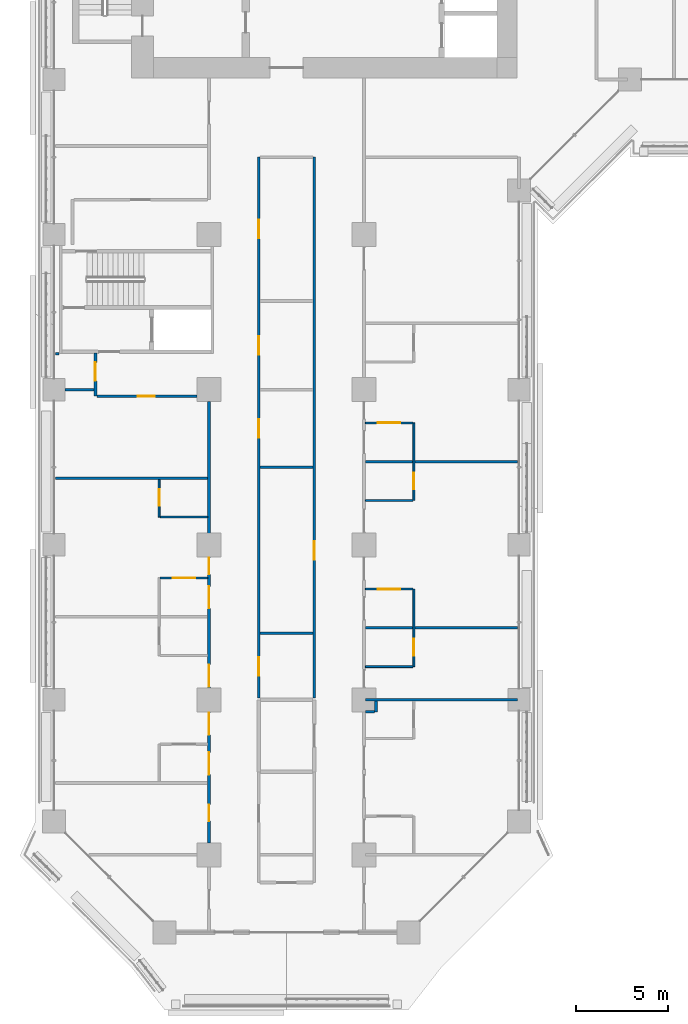
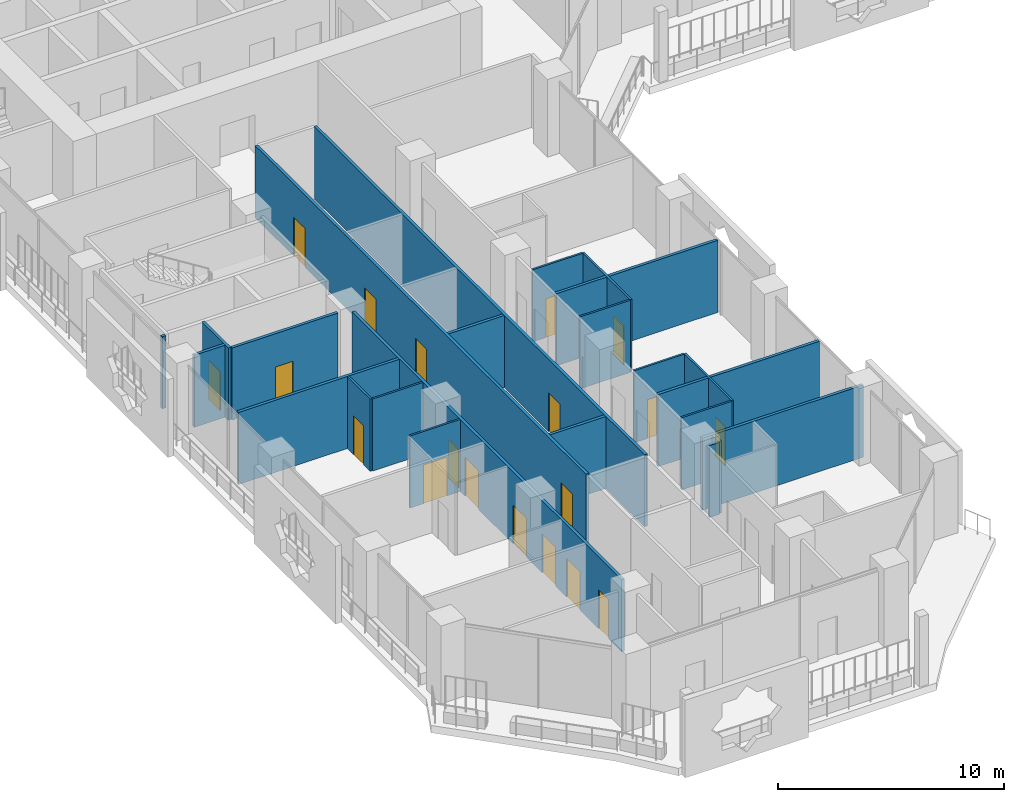
# One storey, part 14 of 29: 24 walls, 19 doors, 19 openings.
"""IFC4 building model written with IfcOpenShell, lengths in metres."""

from ifc_helpers import new_model, si_unit, direction, frame, frame_2d, origin, place, context, subcontext, project, spatial, rectangle, extrude, material, layer, layer_set, type_object, element, fill, save


model = new_model("IFC4")

# Units and contexts
model_context = context("Model", 3, precision=1e-05, world=origin(), true_north=direction((0.0, 1.0)))
body_context = subcontext(model_context, "Body", "Model", "MODEL_VIEW")
ifc_project = project(units=[si_unit("LENGTHUNIT", "METRE"), si_unit("AREAUNIT", "SQUARE_METRE"), si_unit("VOLUMEUNIT", "CUBIC_METRE"), si_unit("PLANEANGLEUNIT", "RADIAN"), si_unit("MASSUNIT", "GRAM", prefix="KILO")], contexts=[model_context])

# Site, building, storey
site_placement = place(None, origin())
site = spatial("IfcSite", under=ifc_project, at=site_placement, CompositionType="ELEMENT")
building_placement = place(site_placement, origin())
building = spatial("IfcBuilding", under=site, at=building_placement, Name="Kawkab Arch Medical Tower", CompositionType="ELEMENT")
storey_placement = place(building_placement, frame((0.0, 0.0, 60.199951171875)))
storey = spatial("IfcBuildingStorey", under=building, at=storey_placement, Name="L13", CompositionType="ELEMENT", Elevation=60.199951171875)

# Wall
ifc_material_1 = material(Name="Gypsum board partition on steel studs", Category="steel")
ifc_layer_1 = layer(ifc_material_1, 0.10009765625)
ifc_layer_set_1 = layer_set([ifc_layer_1], Name="Gypsum board partition on steel studs")
wall_type_1 = type_object("IfcWallType", Name="Partition 100", PredefinedType="PARTITIONING", material=ifc_layer_set_1)
wall_1_placement = place(storey_placement, frame((16.875, -57.0, 0.0), z_axis=(0.0, 0.0, 1.0), x_axis=(1.0, 0.0, 0.0)))
element("IfcWall", 1, at=wall_1_placement, inside=storey, type_object=wall_type_1, Name="Partition 100 w004", PredefinedType="PARTITIONING", context=body_context, shape_type="SweptSolid", body=[
    extrude(rectangle(XDim=2.574951171875, YDim=0.10009765625, at=frame_2d((1.28759765625, 0.0))), origin(), (0.0, 0.0, 1.0), 3.900146484375),
])

# Wall, opening, door
wall_2_placement = place(storey_placement, frame((16.875, -52.800048828125, 0.0), z_axis=(0.0, 0.0, 1.0), x_axis=(1.0, 0.0, 0.0)))
wall_2 = element("IfcWall", 2, at=wall_2_placement, inside=storey, type_object=wall_type_1, Name="Partition 100 w006", PredefinedType="PARTITIONING", context=body_context, shape_type="SweptSolid", body=[
    extrude(rectangle(XDim=2.574951171875, YDim=0.10009765625, at=frame_2d((1.28759765625, 0.0))), origin(), (0.0, 0.0, 1.0), 3.900146484375),
])
opening_1_placement = place(wall_2_placement, frame((0.675048828125, 0.0, 0.0)))
opening_1 = element("IfcOpeningElement", 3, at=opening_1_placement, cuts=wall_2, Name="Opening W13A-081", PredefinedType="OPENING", context=body_context, shape_type="SweptSolid", body=[
    extrude(rectangle(XDim=1.199951171875, YDim=2.10009765625, at=frame_2d((0.60009765625, 1.050048828125))), frame((0.0, 0.06005859375, 0.0), z_axis=(0.0, -1.0, 0.0), x_axis=(1.0, 0.0, 0.0)), (0.0, 0.0, 1.0), 0.1201171875),
])
ifc_material_2 = material(Name="Timber door leaf", Category="wood")
door_type_1 = type_object("IfcDoorType", Name="Single door 1200x2100", OperationType="NOTDEFINED", PredefinedType="DOOR", material=ifc_material_2)
door_1_placement = place(opening_1_placement, origin())
door_1 = element("IfcDoor", 4, at=door_1_placement, inside=storey, type_object=door_type_1, Name="Door W13A-081", OperationType="SINGLE_SWING_RIGHT", OverallHeight=2.10009765625, OverallWidth=1.199951171875, PredefinedType="DOOR", context=body_context, shape_type="SweptSolid", body=[
    extrude(rectangle(XDim=1.199951171875, YDim=2.10009765625, at=frame_2d((0.60009765625, 1.050048828125))), frame((0.0, 0.02490234375, 0.0), z_axis=(0.0, -1.0, 0.0), x_axis=(1.0, 0.0, 0.0)), (0.0, 0.0, 1.0), 0.050048828125),
])
fill(opening_1, door_1)

wall_3_placement = place(storey_placement, frame((5.75, -52.199951171875, 0.0), z_axis=(0.0, 0.0, 1.0), x_axis=(1.0, 0.0, 0.0)))
wall_3 = element("IfcWall", 5, at=wall_3_placement, inside=storey, type_object=wall_type_1, Name="Partition 100 w007", PredefinedType="PARTITIONING", context=body_context, shape_type="SweptSolid", body=[
    extrude(rectangle(XDim=2.574951171875, YDim=0.10009765625, at=frame_2d((1.28759765625, 0.0))), origin(), (0.0, 0.0, 1.0), 3.900146484375),
])
opening_2_placement = place(wall_3_placement, frame((0.699951171875, 0.0, 0.0)))
opening_2 = element("IfcOpeningElement", 6, at=opening_2_placement, cuts=wall_3, Name="Opening W13A-070", PredefinedType="OPENING", context=body_context, shape_type="SweptSolid", body=[
    extrude(rectangle(XDim=1.199951171875, YDim=2.10009765625, at=frame_2d((0.60009765625, 1.050048828125))), frame((0.0, 0.06005859375, 0.0), z_axis=(0.0, -1.0, 0.0), x_axis=(1.0, 0.0, 0.0)), (0.0, 0.0, 1.0), 0.1201171875),
])
door_2_placement = place(opening_2_placement, origin())
door_2 = element("IfcDoor", 7, at=door_2_placement, inside=storey, type_object=door_type_1, Name="Door W13A-070", OperationType="SINGLE_SWING_LEFT", OverallHeight=2.10009765625, OverallWidth=1.199951171875, PredefinedType="DOOR", context=body_context, shape_type="SweptSolid", body=[
    extrude(rectangle(XDim=1.199951171875, YDim=2.10009765625, at=frame_2d((0.60009765625, 1.050048828125))), frame((0.0, 0.02490234375, 0.0), z_axis=(0.0, -1.0, 0.0), x_axis=(1.0, 0.0, 0.0)), (0.0, 0.0, 1.0), 0.050048828125),
])
fill(opening_2, door_2)

# Walls
for number, where, z_axis, x_axis, name in (
    (8, (5.75, -48.89990234375, 0.0), (0.0, 0.0, 1.0), (1.0, 0.0, 0.0), "Partition 100 w008"),
    (9, (16.875, -48.0, 0.0), (0.0, 0.0, 1.0), (1.0, 0.0, 0.0), "Partition 100 w009"),
):
    element("IfcWall", number, at=place(storey_placement, frame(where, z_axis=z_axis, x_axis=x_axis)), inside=storey, type_object=wall_type_1, Name=name, PredefinedType="PARTITIONING", context=body_context, shape_type="SweptSolid", body=[
        extrude(rectangle(XDim=2.574951171875, YDim=0.10009765625, at=frame_2d((1.28759765625, 0.0))), origin(), (0.0, 0.0, 1.0), 3.900146484375),
    ])

# Wall, opening, door
wall_4_placement = place(storey_placement, frame((16.875, -43.800048828125, 0.0), z_axis=(0.0, 0.0, 1.0), x_axis=(1.0, 0.0, 0.0)))
wall_4 = element("IfcWall", 10, at=wall_4_placement, inside=storey, type_object=wall_type_1, Name="Partition 100 w010", PredefinedType="PARTITIONING", context=body_context, shape_type="SweptSolid", body=[
    extrude(rectangle(XDim=2.574951171875, YDim=0.10009765625, at=frame_2d((1.28759765625, 0.0))), origin(), (0.0, 0.0, 1.0), 3.900146484375),
])
opening_3_placement = place(wall_4_placement, frame((0.675048828125, 0.0, 0.0)))
opening_3 = element("IfcOpeningElement", 11, at=opening_3_placement, cuts=wall_4, Name="Opening W13A-077", PredefinedType="OPENING", context=body_context, shape_type="SweptSolid", body=[
    extrude(rectangle(XDim=1.199951171875, YDim=2.10009765625, at=frame_2d((0.60009765625, 1.050048828125))), frame((0.0, 0.06005859375, 0.0), z_axis=(0.0, -1.0, 0.0), x_axis=(1.0, 0.0, 0.0)), (0.0, 0.0, 1.0), 0.1201171875),
])
door_3_placement = place(opening_3_placement, origin())
door_3 = element("IfcDoor", 12, at=door_3_placement, inside=storey, type_object=door_type_1, Name="Door W13A-077", OperationType="SINGLE_SWING_LEFT", OverallHeight=2.10009765625, OverallWidth=1.199951171875, PredefinedType="DOOR", context=body_context, shape_type="SweptSolid", body=[
    extrude(rectangle(XDim=1.199951171875, YDim=2.10009765625, at=frame_2d((0.60009765625, 1.050048828125))), frame((0.0, 0.02490234375, 0.0), z_axis=(0.0, -1.0, 0.0), x_axis=(1.0, 0.0, 0.0)), (0.0, 0.0, 1.0), 0.050048828125),
])
fill(opening_3, door_3)

wall_5_placement = place(storey_placement, frame((5.699951171875, -48.89990234375, 0.0), z_axis=(0.0, 0.0, 1.0), x_axis=(0.0, 1.0, 0.0)))
wall_5 = element("IfcWall", 13, at=wall_5_placement, inside=storey, type_object=wall_type_1, Name="Partition 100 w023", PredefinedType="PARTITIONING", context=body_context, shape_type="SweptSolid", body=[
    extrude(rectangle(XDim=2.02490234375, YDim=0.10009765625, at=frame_2d((1.012451171875, 0.0))), origin(), (0.0, 0.0, 1.0), 3.900146484375),
])
opening_4_placement = place(wall_5_placement, frame((0.60009765625, 0.0, 0.0)))
opening_4 = element("IfcOpeningElement", 14, at=opening_4_placement, cuts=wall_5, Name="Opening W13A-010", PredefinedType="OPENING", context=body_context, shape_type="SweptSolid", body=[
    extrude(rectangle(XDim=0.89990234375, YDim=2.10009765625, at=frame_2d((0.449951171875, 1.050048828125))), frame((0.0, 0.06005859375, 0.0), z_axis=(0.0, -1.0, 0.0), x_axis=(1.0, 0.0, 0.0)), (0.0, 0.0, 1.0), 0.1201171875),
])
ifc_material_3 = material(Name="Timber door leaf", Category="wood")
door_type_2 = type_object("IfcDoorType", Name="Single door 900x2100", OperationType="NOTDEFINED", PredefinedType="DOOR", material=ifc_material_3)
door_4_placement = place(opening_4_placement, origin())
door_4 = element("IfcDoor", 15, at=door_4_placement, inside=storey, type_object=door_type_2, Name="Door W13A-010", OperationType="SINGLE_SWING_RIGHT", OverallHeight=2.10009765625, OverallWidth=0.89990234375, PredefinedType="DOOR", context=body_context, shape_type="SweptSolid", body=[
    extrude(rectangle(XDim=0.89990234375, YDim=2.10009765625, at=frame_2d((0.449951171875, 1.050048828125))), frame((0.0, 0.02490234375, 0.0), z_axis=(0.0, -1.0, 0.0), x_axis=(1.0, 0.0, 0.0)), (0.0, 0.0, 1.0), 0.050048828125),
])
fill(opening_4, door_4)

wall_6_placement = place(storey_placement, frame((19.5, -57.0, 0.0), z_axis=(0.0, 0.0, 1.0), x_axis=(0.0, 1.0, 0.0)))
wall_6 = element("IfcWall", 16, at=wall_6_placement, inside=storey, type_object=wall_type_1, Name="Partition 100 w026", PredefinedType="PARTITIONING", context=body_context, shape_type="SweptSolid", body=[
    extrude(rectangle(XDim=4.199951171875, YDim=0.10009765625, at=frame_2d((2.10009765625, 0.0))), origin(), (0.0, 0.0, 1.0), 3.900146484375),
])
opening_5_placement = place(wall_6_placement, frame((0.60009765625, 0.0, 0.0)))
opening_5 = element("IfcOpeningElement", 17, at=opening_5_placement, cuts=wall_6, Name="Opening W13A-016", PredefinedType="OPENING", context=body_context, shape_type="SweptSolid", body=[
    extrude(rectangle(XDim=0.89990234375, YDim=2.10009765625, at=frame_2d((0.449951171875, 1.050048828125))), frame((0.0, 0.06005859375, 0.0), z_axis=(0.0, -1.0, 0.0), x_axis=(1.0, 0.0, 0.0)), (0.0, 0.0, 1.0), 0.1201171875),
])
door_5_placement = place(opening_5_placement, origin())
door_5 = element("IfcDoor", 18, at=door_5_placement, inside=storey, type_object=door_type_2, Name="Door W13A-016", OperationType="SINGLE_SWING_RIGHT", OverallHeight=2.10009765625, OverallWidth=0.89990234375, PredefinedType="DOOR", context=body_context, shape_type="SweptSolid", body=[
    extrude(rectangle(XDim=0.89990234375, YDim=2.10009765625, at=frame_2d((0.449951171875, 1.050048828125))), frame((0.0, 0.02490234375, 0.0), z_axis=(0.0, -1.0, 0.0), x_axis=(1.0, 0.0, 0.0)), (0.0, 0.0, 1.0), 0.050048828125),
])
fill(opening_5, door_5)

wall_7_placement = place(storey_placement, frame((19.5, -48.0, 0.0), z_axis=(0.0, 0.0, 1.0), x_axis=(0.0, 1.0, 0.0)))
wall_7 = element("IfcWall", 19, at=wall_7_placement, inside=storey, type_object=wall_type_1, Name="Partition 100 w027", PredefinedType="PARTITIONING", context=body_context, shape_type="SweptSolid", body=[
    extrude(rectangle(XDim=4.199951171875, YDim=0.10009765625, at=frame_2d((2.10009765625, 0.0))), origin(), (0.0, 0.0, 1.0), 3.900146484375),
])
opening_6_placement = place(wall_7_placement, frame((0.60009765625, 0.0, 0.0)))
opening_6 = element("IfcOpeningElement", 20, at=opening_6_placement, cuts=wall_7, Name="Opening W13A-015", PredefinedType="OPENING", context=body_context, shape_type="SweptSolid", body=[
    extrude(rectangle(XDim=0.89990234375, YDim=2.10009765625, at=frame_2d((0.449951171875, 1.050048828125))), frame((0.0, 0.06005859375, 0.0), z_axis=(0.0, -1.0, 0.0), x_axis=(1.0, 0.0, 0.0)), (0.0, 0.0, 1.0), 0.1201171875),
])
door_6_placement = place(opening_6_placement, origin())
door_6 = element("IfcDoor", 21, at=door_6_placement, inside=storey, type_object=door_type_2, Name="Door W13A-015", OperationType="SINGLE_SWING_RIGHT", OverallHeight=2.10009765625, OverallWidth=0.89990234375, PredefinedType="DOOR", context=body_context, shape_type="SweptSolid", body=[
    extrude(rectangle(XDim=0.89990234375, YDim=2.10009765625, at=frame_2d((0.449951171875, 1.050048828125))), frame((0.0, 0.02490234375, 0.0), z_axis=(0.0, -1.0, 0.0), x_axis=(1.0, 0.0, 0.0)), (0.0, 0.0, 1.0), 0.050048828125),
])
fill(opening_6, door_6)

# Walls
ifc_material_4 = material(Name="Gypsum board partition on steel studs, mineral wool", Category="steel")
ifc_layer_2 = layer(ifc_material_4, 0.14990234375)
ifc_layer_set_2 = layer_set([ifc_layer_2], Name="Gypsum board partition on steel studs, mineral wool")
wall_type_2 = type_object("IfcWallType", Name="Partition 150", PredefinedType="PARTITIONING", material=ifc_layer_set_2)
wall_8_placement = place(storey_placement, frame((16.876953125, -59.449951171875, 0.0), z_axis=(0.0, 0.0, 1.0), x_axis=(1.0, 0.0, 0.0)))
element("IfcWall", 22, at=wall_8_placement, inside=storey, type_object=wall_type_2, Name="Partition 150 w048", PredefinedType="PARTITIONING", context=body_context, shape_type="SweptSolid", body=[
    extrude(rectangle(XDim=0.498046875, YDim=0.14990234375, at=frame_2d((0.2490234375, 0.0))), origin(), (0.0, 0.0, 1.0), 3.900146484375),
])
wall_9_placement = place(storey_placement, frame((16.876953125, -58.800048828125, 0.0), z_axis=(0.0, 0.0, 1.0), x_axis=(1.0, 0.0, 0.0)))
element("IfcWall", 23, at=wall_9_placement, inside=storey, type_object=wall_type_2, Name="Partition 150 w049", PredefinedType="PARTITIONING", context=body_context, shape_type="SweptSolid", body=[
    extrude(rectangle(XDim=8.2431640625, YDim=0.14990234375, at=frame_2d((4.12158203125, 0.0))), origin(), (0.0, 0.0, 1.0), 3.900146484375),
])
wall_10_placement = place(storey_placement, frame((11.175048828125, -55.199951171875, 0.0), z_axis=(0.0, 0.0, 1.0), x_axis=(1.0, 0.0, 0.0)))
element("IfcWall", 24, at=wall_10_placement, inside=storey, type_object=wall_type_2, Name="Partition 150 w050", PredefinedType="PARTITIONING", context=body_context, shape_type="SweptSolid", body=[
    extrude(rectangle(XDim=2.849853515625, YDim=0.14990234375, at=frame_2d((1.4248046875, 0.0))), origin(), (0.0, 0.0, 1.0), 3.900146484375),
])
wall_11_placement = place(storey_placement, frame((16.875, -54.89990234375, 0.0), z_axis=(0.0, 0.0, 1.0), x_axis=(1.0, 0.0, 0.0)))
element("IfcWall", 25, at=wall_11_placement, inside=storey, type_object=wall_type_2, Name="Partition 150 w051", PredefinedType="PARTITIONING", context=body_context, shape_type="SweptSolid", body=[
    extrude(rectangle(XDim=8.2451171875, YDim=0.14990234375, at=frame_2d((4.12255859375, 0.0))), origin(), (0.0, 0.0, 1.0), 3.900146484375),
])
wall_12_placement = place(storey_placement, frame((0.080078125, -46.800048828125, 0.0), z_axis=(0.0, 0.0, 1.0), x_axis=(1.0, 0.0, 0.0)))
element("IfcWall", 26, at=wall_12_placement, inside=storey, type_object=wall_type_2, Name="Partition 150 w053", PredefinedType="PARTITIONING", context=body_context, shape_type="SweptSolid", body=[
    extrude(rectangle(XDim=8.244873046875, YDim=0.14990234375, at=frame_2d((4.12255859375, 0.0))), origin(), (0.0, 0.0, 1.0), 3.900146484375),
])
wall_13_placement = place(storey_placement, frame((11.175048828125, -46.199951171875, 0.0), z_axis=(0.0, 0.0, 1.0), x_axis=(1.0, 0.0, 0.0)))
element("IfcWall", 27, at=wall_13_placement, inside=storey, type_object=wall_type_2, Name="Partition 150 w054", PredefinedType="PARTITIONING", context=body_context, shape_type="SweptSolid", body=[
    extrude(rectangle(XDim=2.849853515625, YDim=0.14990234375, at=frame_2d((1.4248046875, 0.0))), origin(), (0.0, 0.0, 1.0), 3.900146484375),
])
wall_14_placement = place(storey_placement, frame((16.875, -45.89990234375, 0.0), z_axis=(0.0, 0.0, 1.0), x_axis=(1.0, 0.0, 0.0)))
element("IfcWall", 28, at=wall_14_placement, inside=storey, type_object=wall_type_2, Name="Partition 150 w055", PredefinedType="PARTITIONING", context=body_context, shape_type="SweptSolid", body=[
    extrude(rectangle(XDim=8.2451171875, YDim=0.14990234375, at=frame_2d((4.12255859375, 0.0))), origin(), (0.0, 0.0, 1.0), 3.900146484375),
])

# Wall, opening, door
wall_15_placement = place(storey_placement, frame((2.327880859375, -42.35009765625, 0.0), z_axis=(0.0, 0.0, 1.0), x_axis=(1.0, 0.0, 0.0)))
wall_15 = element("IfcWall", 29, at=wall_15_placement, inside=storey, type_object=wall_type_2, Name="Partition 150 w056", PredefinedType="PARTITIONING", context=body_context, shape_type="SweptSolid", body=[
    extrude(rectangle(XDim=5.422119140625, YDim=0.14990234375, at=frame_2d((2.7109375, 0.0))), origin(), (0.0, 0.0, 1.0), 3.900146484375),
])
opening_7_placement = place(wall_15_placement, frame((2.22412109375, 0.0, 0.0)))
opening_7 = element("IfcOpeningElement", 30, at=opening_7_placement, cuts=wall_15, Name="Opening W13A-009", PredefinedType="OPENING", context=body_context, shape_type="SweptSolid", body=[
    extrude(rectangle(XDim=0.89990234375, YDim=2.10009765625, at=frame_2d((0.449951171875, 1.050048828125))), frame((0.0, 0.0849609375, 0.0), z_axis=(0.0, -1.0, 0.0), x_axis=(1.0, 0.0, 0.0)), (0.0, 0.0, 1.0), 0.169921875),
])
door_7_placement = place(opening_7_placement, origin())
door_7 = element("IfcDoor", 31, at=door_7_placement, inside=storey, type_object=door_type_2, Name="Door W13A-009", OperationType="SINGLE_SWING_LEFT", OverallHeight=2.10009765625, OverallWidth=0.89990234375, PredefinedType="DOOR", context=body_context, shape_type="SweptSolid", body=[
    extrude(rectangle(XDim=0.89990234375, YDim=2.10009765625, at=frame_2d((0.449951171875, 1.050048828125))), frame((0.0, 0.02490234375, 0.0), z_axis=(0.0, -1.0, 0.0), x_axis=(1.0, 0.0, 0.0)), (0.0, 0.0, 1.0), 0.050048828125),
])
fill(opening_7, door_7)

# Walls
wall_16_placement = place(storey_placement, frame((0.60009765625, -42.0, 0.0), z_axis=(0.0, 0.0, 1.0), x_axis=(1.0, 0.0, 0.0)))
element("IfcWall", 32, at=wall_16_placement, inside=storey, type_object=wall_type_2, Name="Partition 150 w057", PredefinedType="PARTITIONING", context=body_context, shape_type="SweptSolid", body=[
    extrude(rectangle(XDim=1.574951171875, YDim=0.14990234375, at=frame_2d((0.78759765625, 0.0))), origin(), (0.0, 0.0, 1.0), 3.900146484375),
])
wall_17_placement = place(storey_placement, frame((0.080078125, -40.050048828125, 0.0), z_axis=(0.0, 0.0, 1.0), x_axis=(1.0, 0.0, 0.0)))
element("IfcWall", 33, at=wall_17_placement, inside=storey, type_object=wall_type_2, Name="Partition 150 w059", PredefinedType="PARTITIONING", context=body_context, shape_type="SweptSolid", body=[
    extrude(rectangle(XDim=0.18994140625, YDim=0.14990234375, at=frame_2d((0.094970703125, 0.0))), origin(), (0.0, 0.0, 1.0), 3.900146484375),
])

# Wall, opening, door
wall_18_placement = place(storey_placement, frame((2.25, -42.346923828125, 0.0), z_axis=(0.0, 0.0, 1.0), x_axis=(0.0, 1.0, 0.0)))
wall_18 = element("IfcWall", 34, at=wall_18_placement, inside=storey, type_object=wall_type_2, Name="Partition 150 w084", PredefinedType="PARTITIONING", context=body_context, shape_type="SweptSolid", body=[
    extrude(rectangle(XDim=2.346923828125, YDim=0.14990234375, at=frame_2d((1.17333984375, 0.0))), origin(), (0.0, 0.0, 1.0), 3.900146484375),
])
opening_8_placement = place(wall_18_placement, frame((0.822021484375, 0.0, 0.0)))
opening_8 = element("IfcOpeningElement", 35, at=opening_8_placement, cuts=wall_18, Name="Opening W13A-031", PredefinedType="OPENING", context=body_context, shape_type="SweptSolid", body=[
    extrude(rectangle(XDim=1.0, YDim=2.10009765625, at=frame_2d((0.5, 1.050048828125))), frame((0.0, 0.0849609375, 0.0), z_axis=(0.0, -1.0, 0.0), x_axis=(1.0, 0.0, 0.0)), (0.0, 0.0, 1.0), 0.169921875),
])
ifc_material_5 = material(Name="Hollow metal door leaf")
door_type_3 = type_object("IfcDoorType", Name="Single door 1000x2100 FD30S", OperationType="NOTDEFINED", PredefinedType="DOOR", material=ifc_material_5)
door_8_placement = place(opening_8_placement, origin())
door_8 = element("IfcDoor", 36, at=door_8_placement, inside=storey, type_object=door_type_3, Name="Door W13A-031", OperationType="SINGLE_SWING_LEFT", OverallHeight=2.10009765625, OverallWidth=1.0, PredefinedType="DOOR", context=body_context, shape_type="SweptSolid", body=[
    extrude(rectangle(XDim=1.0, YDim=2.10009765625, at=frame_2d((0.5, 1.050048828125))), frame((0.0, 0.02490234375, 0.0), z_axis=(0.0, -1.0, 0.0), x_axis=(1.0, 0.0, 0.0)), (0.0, 0.0, 1.0), 0.050048828125),
])
fill(opening_8, door_8)

# Wall, openings, doors
wall_19_placement = place(storey_placement, frame((8.39990234375, -66.550048828125, 0.0), z_axis=(0.0, 0.0, 1.0), x_axis=(0.0, 1.0, 0.0)))
wall_19 = element("IfcWall", 37, at=wall_19_placement, inside=storey, type_object=wall_type_2, Name="Partition 150 w086", PredefinedType="PARTITIONING", context=body_context, shape_type="SweptSolid", body=[
    extrude(rectangle(XDim=23.900146484375, YDim=0.14990234375, at=frame_2d((11.9501953125, 0.0))), origin(), (0.0, 0.0, 1.0), 3.900146484375),
])
opening_9_placement = place(wall_19_placement, frame((14.550048828125, 0.0, 0.0)))
opening_9 = element("IfcOpeningElement", 38, at=opening_9_placement, cuts=wall_19, Name="Opening W13A-019", PredefinedType="OPENING", context=body_context, shape_type="SweptSolid", body=[
    extrude(rectangle(XDim=0.89990234375, YDim=2.10009765625, at=frame_2d((0.449951171875, 1.050048828125))), frame((0.0, 0.0849609375, 0.0), z_axis=(0.0, -1.0, 0.0), x_axis=(1.0, 0.0, 0.0)), (0.0, 0.0, 1.0), 0.169921875),
])
opening_10_placement = place(wall_19_placement, frame((12.699951171875, 0.0, 0.0)))
opening_10 = element("IfcOpeningElement", 39, at=opening_10_placement, cuts=wall_19, Name="Opening W13A-069", PredefinedType="OPENING", context=body_context, shape_type="SweptSolid", body=[
    extrude(rectangle(XDim=1.199951171875, YDim=2.10009765625, at=frame_2d((0.60009765625, 1.050048828125))), frame((0.0, 0.0849609375, 0.0), z_axis=(0.0, -1.0, 0.0), x_axis=(1.0, 0.0, 0.0)), (0.0, 0.0, 1.0), 0.169921875),
])
opening_11_placement = place(wall_19_placement, frame((5.85009765625, 0.0, 0.0)))
opening_11 = element("IfcOpeningElement", 40, at=opening_11_placement, cuts=wall_19, Name="Opening W13A-071", PredefinedType="OPENING", context=body_context, shape_type="SweptSolid", body=[
    extrude(rectangle(XDim=1.199951171875, YDim=2.10009765625, at=frame_2d((0.60009765625, 1.050048828125))), frame((0.0, 0.0849609375, 0.0), z_axis=(0.0, -1.0, 0.0), x_axis=(1.0, 0.0, 0.0)), (0.0, 0.0, 1.0), 0.169921875),
])
opening_12_placement = place(wall_19_placement, frame((8.449951171875, 0.0, 0.0)))
opening_12 = element("IfcOpeningElement", 41, at=opening_12_placement, cuts=wall_19, Name="Opening W13A-072", PredefinedType="OPENING", context=body_context, shape_type="SweptSolid", body=[
    extrude(rectangle(XDim=1.199951171875, YDim=2.10009765625, at=frame_2d((0.60009765625, 1.050048828125))), frame((0.0, 0.0849609375, 0.0), z_axis=(0.0, -1.0, 0.0), x_axis=(1.0, 0.0, 0.0)), (0.0, 0.0, 1.0), 0.169921875),
])
opening_13_placement = place(wall_19_placement, frame((3.699951171875, 0.0, 0.0)))
opening_13 = element("IfcOpeningElement", 42, at=opening_13_placement, cuts=wall_19, Name="Opening W13A-073", PredefinedType="OPENING", context=body_context, shape_type="SweptSolid", body=[
    extrude(rectangle(XDim=1.199951171875, YDim=2.10009765625, at=frame_2d((0.60009765625, 1.050048828125))), frame((0.0, 0.0849609375, 0.0), z_axis=(0.0, -1.0, 0.0), x_axis=(1.0, 0.0, 0.0)), (0.0, 0.0, 1.0), 0.169921875),
])
opening_14_placement = place(wall_19_placement, frame((1.175048828125, 0.0, 0.0)))
opening_14 = element("IfcOpeningElement", 43, at=opening_14_placement, cuts=wall_19, Name="Opening W13A-012", PredefinedType="OPENING", context=body_context, shape_type="SweptSolid", body=[
    extrude(rectangle(XDim=0.89990234375, YDim=2.10009765625, at=frame_2d((0.449951171875, 1.050048828125))), frame((0.0, 0.0849609375, 0.0), z_axis=(0.0, -1.0, 0.0), x_axis=(1.0, 0.0, 0.0)), (0.0, 0.0, 1.0), 0.169921875),
])
ifc_material_6 = material(Name="Hollow metal door leaf")
door_type_4 = type_object("IfcDoorType", Name="Single door 1200x2100 FD30S", OperationType="NOTDEFINED", PredefinedType="DOOR", material=ifc_material_6)
door_9_placement = place(opening_10_placement, origin())
door_9 = element("IfcDoor", 44, at=door_9_placement, inside=storey, type_object=door_type_4, Name="Door W13A-069", OperationType="SINGLE_SWING_RIGHT", OverallHeight=2.10009765625, OverallWidth=1.199951171875, PredefinedType="DOOR", context=body_context, shape_type="SweptSolid", body=[
    extrude(rectangle(XDim=1.199951171875, YDim=2.10009765625, at=frame_2d((0.60009765625, 1.050048828125))), frame((0.0, 0.02490234375, 0.0), z_axis=(0.0, -1.0, 0.0), x_axis=(1.0, 0.0, 0.0)), (0.0, 0.0, 1.0), 0.050048828125),
])
fill(opening_10, door_9)
door_10_placement = place(opening_11_placement, origin())
door_10 = element("IfcDoor", 45, at=door_10_placement, inside=storey, type_object=door_type_4, Name="Door W13A-071", OperationType="SINGLE_SWING_LEFT", OverallHeight=2.10009765625, OverallWidth=1.199951171875, PredefinedType="DOOR", context=body_context, shape_type="SweptSolid", body=[
    extrude(rectangle(XDim=1.199951171875, YDim=2.10009765625, at=frame_2d((0.60009765625, 1.050048828125))), frame((0.0, 0.02490234375, 0.0), z_axis=(0.0, -1.0, 0.0), x_axis=(1.0, 0.0, 0.0)), (0.0, 0.0, 1.0), 0.050048828125),
])
fill(opening_11, door_10)
door_11_placement = place(opening_12_placement, origin())
door_11 = element("IfcDoor", 46, at=door_11_placement, inside=storey, type_object=door_type_4, Name="Door W13A-072", OperationType="SINGLE_SWING_LEFT", OverallHeight=2.10009765625, OverallWidth=1.199951171875, PredefinedType="DOOR", context=body_context, shape_type="SweptSolid", body=[
    extrude(rectangle(XDim=1.199951171875, YDim=2.10009765625, at=frame_2d((0.60009765625, 1.050048828125))), frame((0.0, 0.02490234375, 0.0), z_axis=(0.0, -1.0, 0.0), x_axis=(1.0, 0.0, 0.0)), (0.0, 0.0, 1.0), 0.050048828125),
])
fill(opening_12, door_11)
door_12_placement = place(opening_13_placement, origin())
door_12 = element("IfcDoor", 47, at=door_12_placement, inside=storey, type_object=door_type_4, Name="Door W13A-073", OperationType="SINGLE_SWING_LEFT", OverallHeight=2.10009765625, OverallWidth=1.199951171875, PredefinedType="DOOR", context=body_context, shape_type="SweptSolid", body=[
    extrude(rectangle(XDim=1.199951171875, YDim=2.10009765625, at=frame_2d((0.60009765625, 1.050048828125))), frame((0.0, 0.02490234375, 0.0), z_axis=(0.0, -1.0, 0.0), x_axis=(1.0, 0.0, 0.0)), (0.0, 0.0, 1.0), 0.050048828125),
])
fill(opening_13, door_12)
door_13_placement = place(opening_14_placement, origin())
door_13 = element("IfcDoor", 48, at=door_13_placement, inside=storey, type_object=door_type_2, Name="Door W13A-012", OperationType="SINGLE_SWING_LEFT", OverallHeight=2.10009765625, OverallWidth=0.89990234375, PredefinedType="DOOR", context=body_context, shape_type="SweptSolid", body=[
    extrude(rectangle(XDim=0.89990234375, YDim=2.10009765625, at=frame_2d((0.449951171875, 1.050048828125))), frame((0.0, 0.02490234375, 0.0), z_axis=(0.0, -1.0, 0.0), x_axis=(1.0, 0.0, 0.0)), (0.0, 0.0, 1.0), 0.050048828125),
])
fill(opening_14, door_13)
ifc_material_7 = material(Name="Hollow metal door leaf")
door_type_5 = type_object("IfcDoorType", Name="Single door 900x2100 FD30S", OperationType="NOTDEFINED", PredefinedType="DOOR", material=ifc_material_7)
door_14_placement = place(opening_9_placement, origin())
door_14 = element("IfcDoor", 49, at=door_14_placement, inside=storey, type_object=door_type_5, Name="Door W13A-019", OperationType="SINGLE_SWING_RIGHT", OverallHeight=2.10009765625, OverallWidth=0.89990234375, PredefinedType="DOOR", context=body_context, shape_type="SweptSolid", body=[
    extrude(rectangle(XDim=0.89990234375, YDim=2.10009765625, at=frame_2d((0.449951171875, 1.050048828125))), frame((0.0, 0.02490234375, 0.0), z_axis=(0.0, -1.0, 0.0), x_axis=(1.0, 0.0, 0.0)), (0.0, 0.0, 1.0), 0.050048828125),
])
fill(opening_9, door_14)

wall_20_placement = place(storey_placement, frame((11.10009765625, -58.699951171875, 0.0), z_axis=(0.0, 0.0, 1.0), x_axis=(0.0, 1.0, 0.0)))
wall_20 = element("IfcWall", 50, at=wall_20_placement, inside=storey, type_object=wall_type_2, Name="Partition 150 w089", PredefinedType="PARTITIONING", context=body_context, shape_type="SweptSolid", body=[
    extrude(rectangle(XDim=29.300048828125, YDim=0.14990234375, at=frame_2d((14.64990234375, 0.0))), origin(), (0.0, 0.0, 1.0), 3.900146484375),
])
opening_15_placement = place(wall_20_placement, frame((24.89990234375, 0.0, 0.0)))
opening_15 = element("IfcOpeningElement", 51, at=opening_15_placement, cuts=wall_20, Name="Opening W13A-033", PredefinedType="OPENING", context=body_context, shape_type="SweptSolid", body=[
    extrude(rectangle(XDim=1.0, YDim=2.10009765625, at=frame_2d((0.5, 1.050048828125))), frame((0.0, 0.0849609375, 0.0), z_axis=(0.0, -1.0, 0.0), x_axis=(1.0, 0.0, 0.0)), (0.0, 0.0, 1.0), 0.169921875),
])
opening_16_placement = place(wall_20_placement, frame((18.60009765625, 0.0, 0.0)))
opening_16 = element("IfcOpeningElement", 52, at=opening_16_placement, cuts=wall_20, Name="Opening W13A-034", PredefinedType="OPENING", context=body_context, shape_type="SweptSolid", body=[
    extrude(rectangle(XDim=1.0, YDim=2.10009765625, at=frame_2d((0.5, 1.050048828125))), frame((0.0, 0.0849609375, 0.0), z_axis=(0.0, -1.0, 0.0), x_axis=(1.0, 0.0, 0.0)), (0.0, 0.0, 1.0), 0.169921875),
])
opening_17_placement = place(wall_20_placement, frame((14.10009765625, 0.0, 0.0)))
opening_17 = element("IfcOpeningElement", 53, at=opening_17_placement, cuts=wall_20, Name="Opening W13A-022", PredefinedType="OPENING", context=body_context, shape_type="SweptSolid", body=[
    extrude(rectangle(XDim=1.0, YDim=2.10009765625, at=frame_2d((0.5, 1.050048828125))), frame((0.0, 0.0849609375, 0.0), z_axis=(0.0, -1.0, 0.0), x_axis=(1.0, 0.0, 0.0)), (0.0, 0.0, 1.0), 0.169921875),
])
opening_18_placement = place(wall_20_placement, frame((1.199951171875, 0.0, 0.0)))
opening_18 = element("IfcOpeningElement", 54, at=opening_18_placement, cuts=wall_20, Name="Opening W13A-036", PredefinedType="OPENING", context=body_context, shape_type="SweptSolid", body=[
    extrude(rectangle(XDim=1.0, YDim=2.10009765625, at=frame_2d((0.5, 1.050048828125))), frame((0.0, 0.0849609375, 0.0), z_axis=(0.0, -1.0, 0.0), x_axis=(1.0, 0.0, 0.0)), (0.0, 0.0, 1.0), 0.169921875),
])
ifc_material_8 = material(Name="Timber door leaf", Category="wood")
door_type_6 = type_object("IfcDoorType", Name="Single door 1000x2100", OperationType="NOTDEFINED", PredefinedType="DOOR", material=ifc_material_8)
door_15_placement = place(opening_17_placement, origin())
door_15 = element("IfcDoor", 55, at=door_15_placement, inside=storey, type_object=door_type_6, Name="Door W13A-022", OperationType="SINGLE_SWING_LEFT", OverallHeight=2.10009765625, OverallWidth=1.0, PredefinedType="DOOR", context=body_context, shape_type="SweptSolid", body=[
    extrude(rectangle(XDim=1.0, YDim=2.10009765625, at=frame_2d((0.5, 1.050048828125))), frame((0.0, 0.02490234375, 0.0), z_axis=(0.0, -1.0, 0.0), x_axis=(1.0, 0.0, 0.0)), (0.0, 0.0, 1.0), 0.050048828125),
])
fill(opening_17, door_15)
door_16_placement = place(opening_15_placement, origin())
door_16 = element("IfcDoor", 56, at=door_16_placement, inside=storey, type_object=door_type_3, Name="Door W13A-033", OperationType="SINGLE_SWING_LEFT", OverallHeight=2.10009765625, OverallWidth=1.0, PredefinedType="DOOR", context=body_context, shape_type="SweptSolid", body=[
    extrude(rectangle(XDim=1.0, YDim=2.10009765625, at=frame_2d((0.5, 1.050048828125))), frame((0.0, 0.02490234375, 0.0), z_axis=(0.0, -1.0, 0.0), x_axis=(1.0, 0.0, 0.0)), (0.0, 0.0, 1.0), 0.050048828125),
])
fill(opening_15, door_16)
door_17_placement = place(opening_16_placement, origin())
door_17 = element("IfcDoor", 57, at=door_17_placement, inside=storey, type_object=door_type_3, Name="Door W13A-034", OperationType="SINGLE_SWING_LEFT", OverallHeight=2.10009765625, OverallWidth=1.0, PredefinedType="DOOR", context=body_context, shape_type="SweptSolid", body=[
    extrude(rectangle(XDim=1.0, YDim=2.10009765625, at=frame_2d((0.5, 1.050048828125))), frame((0.0, 0.02490234375, 0.0), z_axis=(0.0, -1.0, 0.0), x_axis=(1.0, 0.0, 0.0)), (0.0, 0.0, 1.0), 0.050048828125),
])
fill(opening_16, door_17)
door_18_placement = place(opening_18_placement, origin())
door_18 = element("IfcDoor", 58, at=door_18_placement, inside=storey, type_object=door_type_3, Name="Door W13A-036", OperationType="SINGLE_SWING_RIGHT", OverallHeight=2.10009765625, OverallWidth=1.0, PredefinedType="DOOR", context=body_context, shape_type="SweptSolid", body=[
    extrude(rectangle(XDim=1.0, YDim=2.10009765625, at=frame_2d((0.5, 1.050048828125))), frame((0.0, 0.02490234375, 0.0), z_axis=(0.0, -1.0, 0.0), x_axis=(1.0, 0.0, 0.0)), (0.0, 0.0, 1.0), 0.050048828125),
])
fill(opening_18, door_18)

# Wall, opening, door
wall_21_placement = place(storey_placement, frame((14.10009765625, -58.699951171875, 0.0), z_axis=(0.0, 0.0, 1.0), x_axis=(0.0, 1.0, 0.0)))
wall_21 = element("IfcWall", 59, at=wall_21_placement, inside=storey, type_object=wall_type_2, Name="Partition 150 w091", PredefinedType="PARTITIONING", context=body_context, shape_type="SweptSolid", body=[
    extrude(rectangle(XDim=29.300048828125, YDim=0.14990234375, at=frame_2d((14.64990234375, 0.0))), origin(), (0.0, 0.0, 1.0), 3.900146484375),
])
opening_19_placement = place(wall_21_placement, frame((7.5, 0.0, 0.0)))
opening_19 = element("IfcOpeningElement", 60, at=opening_19_placement, cuts=wall_21, Name="Opening W13A-035", PredefinedType="OPENING", context=body_context, shape_type="SweptSolid", body=[
    extrude(rectangle(XDim=1.0, YDim=2.10009765625, at=frame_2d((0.5, 1.050048828125))), frame((0.0, 0.0849609375, 0.0), z_axis=(0.0, -1.0, 0.0), x_axis=(1.0, 0.0, 0.0)), (0.0, 0.0, 1.0), 0.169921875),
])
door_19_placement = place(opening_19_placement, origin())
door_19 = element("IfcDoor", 61, at=door_19_placement, inside=storey, type_object=door_type_3, Name="Door W13A-035", OperationType="SINGLE_SWING_LEFT", OverallHeight=2.10009765625, OverallWidth=1.0, PredefinedType="DOOR", context=body_context, shape_type="SweptSolid", body=[
    extrude(rectangle(XDim=1.0, YDim=2.10009765625, at=frame_2d((0.5, 1.050048828125))), frame((0.0, 0.02490234375, 0.0), z_axis=(0.0, -1.0, 0.0), x_axis=(1.0, 0.0, 0.0)), (0.0, 0.0, 1.0), 0.050048828125),
])
fill(opening_19, door_19)

# Wall
wall_22_placement = place(storey_placement, frame((17.449951171875, -59.449951171875, 0.0), z_axis=(0.0, 0.0, 1.0), x_axis=(0.0, 1.0, 0.0)))
element("IfcWall", 62, at=wall_22_placement, inside=storey, type_object=wall_type_2, Name="Partition 150 w094", PredefinedType="PARTITIONING", context=body_context, shape_type="SweptSolid", body=[
    extrude(rectangle(XDim=0.574951171875, YDim=0.14990234375, at=frame_2d((0.28759765625, 0.0))), origin(), (0.0, 0.0, 1.0), 3.900146484375),
])

save(model, "model.ifc")
